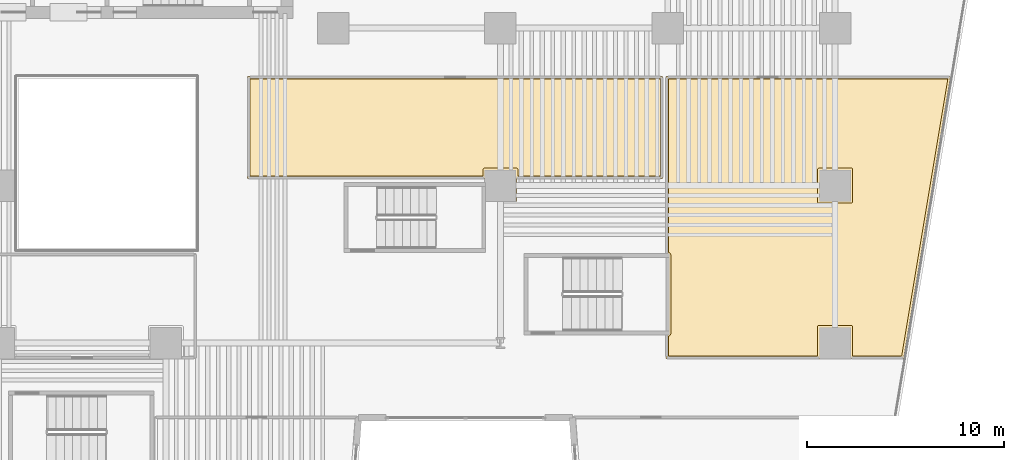
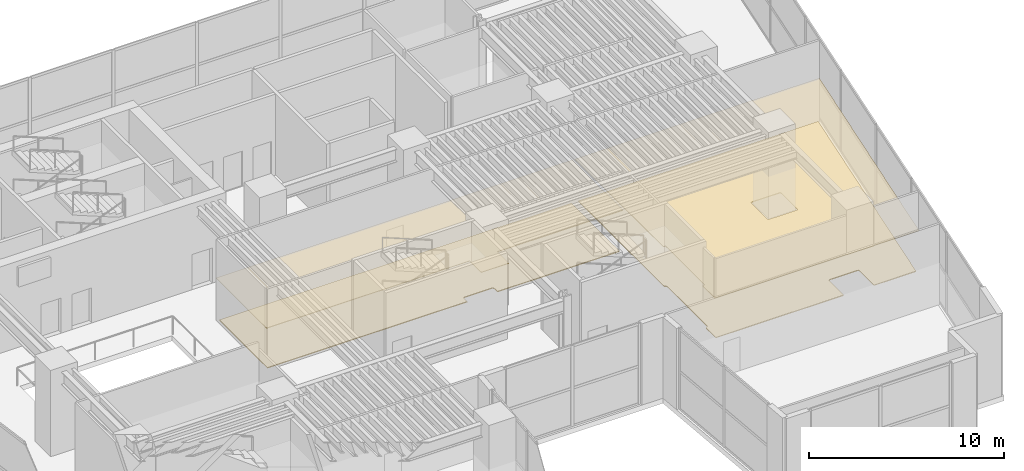
# One storey, part 16 of 17: 4 coverings.
"""IFC4 building model written with IfcOpenShell, lengths in metres."""

from ifc_helpers import new_model, si_unit, direction, frame, origin, place, context, subcontext, project, spatial, polyline, outline, extrude, material, layer, layer_set, type_object, element, save


model = new_model("IFC4")

# Units and contexts
model_context = context("Model", 3, precision=1e-05, world=origin(), true_north=direction((0.0, 1.0)))
body_context = subcontext(model_context, "Body", "Model", "MODEL_VIEW")
ifc_project = project(units=[si_unit("LENGTHUNIT", "METRE"), si_unit("AREAUNIT", "SQUARE_METRE"), si_unit("VOLUMEUNIT", "CUBIC_METRE"), si_unit("PLANEANGLEUNIT", "RADIAN"), si_unit("MASSUNIT", "GRAM", prefix="KILO")], contexts=[model_context])

# Site, building, storey
site_placement = place(None, origin())
site = spatial("IfcSite", under=ifc_project, at=site_placement, CompositionType="ELEMENT")
building_placement = place(site_placement, origin())
building = spatial("IfcBuilding", under=site, at=building_placement, Name="Caeloran Harvest Quay", CompositionType="ELEMENT")
storey_placement = place(building_placement, frame((0.0, 0.0, 5.39990234375)))
storey = spatial("IfcBuildingStorey", under=building, at=storey_placement, Name="L02", CompositionType="ELEMENT", Elevation=5.39990234375)

# Coverings
ifc_material_1 = material(Name="Perforated Mineral-Fibre Acoustic Ceiling Tile", Category="ceiling")
ifc_layer_1 = layer(ifc_material_1, 0.0400390625, Name="Perforated Mineral-Fibre Acoustic Ceiling Tile")
ifc_layer_set_1 = layer_set([ifc_layer_1], Name="Perforated Mineral-Fibre Acoustic Ceiling Tile")
covering_type_1 = type_object("IfcCoveringType", Name="COV-CEILING-ACOUSTIC", PredefinedType="CEILING", material=ifc_layer_set_1)
covering_1_placement = place(storey_placement, frame((0.0, 0.0, 2.60009765625)))
element("IfcCovering", 1, at=covering_1_placement, inside=storey, type_object=covering_type_1, Name="Hydroponic Salad Tasting Lounge Acoustic Ceiling", PredefinedType="CEILING", context=body_context, shape_type="SweptSolid", body=[
    extrude(outline(polyline([(34.820068359375, 22.179931640625), (33.179931640625, 22.179931640625), (33.179931640625, 23.360107421875), (21.159912109375, 23.360107421875), (21.159912109375, 28.5400390625), (42.239990234375, 28.5400390625), (42.239990234375, 23.360107421875), (34.820068359375, 23.360107421875), (34.820068359375, 22.179931640625)])), origin(), (0.0, 0.0, 1.0), 0.0400390625),
])
covering_2_placement = place(storey_placement, frame((0.0, 0.0, 2.60009765625)))
element("IfcCovering", 2, at=covering_2_placement, inside=storey, type_object=covering_type_1, Name="Cold Prep Commissary Kitchen Acoustic Ceiling", PredefinedType="CEILING", context=body_context, shape_type="SweptSolid", body=[
    extrude(outline(polyline([(51.820068359375, 14.179931640625), (50.179931640625, 14.179931640625), (50.179931640625, 14.2099609375), (42.409912109375, 14.2099609375), (42.409912109375, 15.4599609375), (42.52392578125, 15.46044921875), (42.5400390625, 15.48095703125), (42.5400390625, 19.468994140625), (42.52392578125, 19.489501953125), (42.409912109375, 19.489990234375), (42.409912109375, 28.5400390625), (56.87109375, 28.5400390625), (54.486083984375, 14.2099609375), (51.820068359375, 14.2099609375), (51.820068359375, 14.179931640625)])), origin(), (0.0, 0.0, 1.0), 0.0400390625),
])
ifc_material_2 = material(Name="Calcium-Sulphate Raised Access Floor and Terrazzo Finish", Category="flooring")
ifc_layer_2 = layer(ifc_material_2, 0.050048828125, Name="Calcium-Sulphate Raised Access Floor and Terrazzo Finish")
ifc_layer_set_2 = layer_set([ifc_layer_2], Name="Calcium-Sulphate Raised Access Floor and Terrazzo Finish")
covering_type_2 = type_object("IfcCoveringType", Name="COV-FLOOR-RAISED", PredefinedType="FLOORING", material=ifc_layer_set_2)
covering_3_placement = place(storey_placement, origin())
element("IfcCovering", 3, at=covering_3_placement, inside=storey, type_object=covering_type_2, Name="Hydroponic Salad Tasting Lounge Raised Finish Flooring", PredefinedType="FLOORING", context=body_context, shape_type="SweptSolid", body=[
    extrude(outline(polyline([(42.1201171875, 28.419921875), (42.1201171875, 23.47998046875), (34.89501953125, 23.47998046875), (34.8935546875, 23.83056640625), (34.81494140625, 23.89501953125), (33.16943359375, 23.8935546875), (33.1064453125, 23.83056640625), (33.10498046875, 23.47998046875), (21.280029296875, 23.47998046875), (21.280029296875, 28.419921875), (42.1201171875, 28.419921875)])), origin(), (0.0, 0.0, 1.0), 0.050048828125),
])
covering_4_placement = place(storey_placement, origin())
element("IfcCovering", 4, at=covering_4_placement, inside=storey, type_object=covering_type_2, Name="Cold Prep Commissary Kitchen Raised Finish Flooring", PredefinedType="FLOORING", context=body_context, shape_type="SweptSolid", body=[
    extrude(outline(polyline([(42.530029296875, 15.34033203125), (42.62158203125, 15.3837890625), (42.659912109375, 15.47998046875), (42.659912109375, 19.473876953125), (42.62158203125, 19.566162109375), (42.530029296875, 19.609619140625), (42.530029296875, 28.419921875), (56.7294921875, 28.419921875), (54.38427734375, 14.330078125), (51.89501953125, 14.330078125), (51.89501953125, 15.81494140625), (51.876708984375, 15.86572265625), (51.82275390625, 15.89453125), (50.18505859375, 15.89501953125), (50.12841796875, 15.87158203125), (50.10498046875, 15.81494140625), (50.10498046875, 14.330078125), (42.530029296875, 14.330078125), (42.530029296875, 15.34033203125)]), holes=[polyline([(51.89501953125, 23.81494140625), (51.87158203125, 23.87158203125), (51.81494140625, 23.89501953125), (50.18505859375, 23.89501953125), (50.12841796875, 23.87158203125), (50.10498046875, 23.81494140625), (50.10498046875, 22.18505859375), (50.12841796875, 22.12841796875), (50.18505859375, 22.10498046875), (51.81494140625, 22.10498046875), (51.87158203125, 22.12841796875), (51.89501953125, 22.18505859375), (51.89501953125, 23.81494140625)])]), origin(), (0.0, 0.0, 1.0), 0.050048828125),
])

save(model, "model.ifc")
